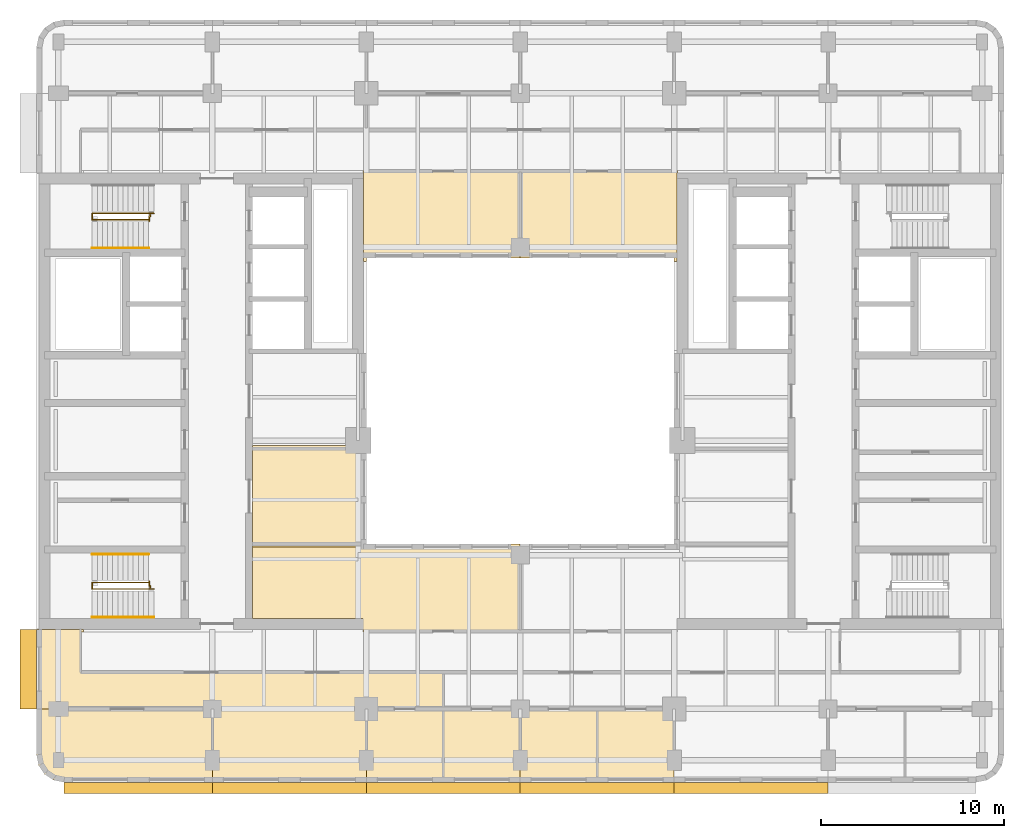
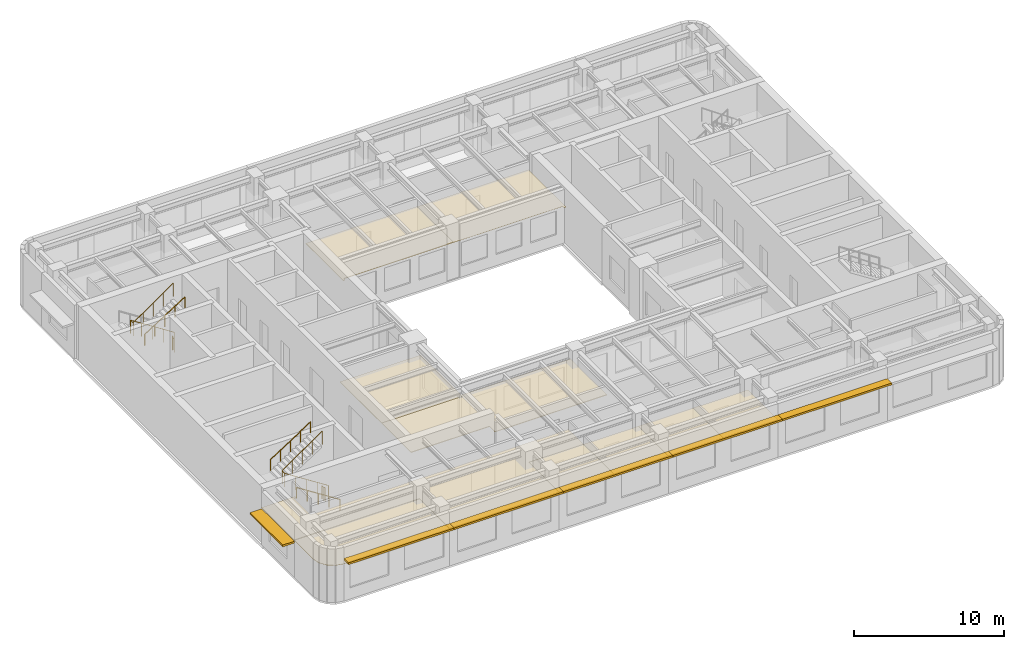
# One storey, part 9 of 11: 10 coverings, 7 railings, 6 shading devices.
"""IFC4 building model written with IfcOpenShell, lengths in metres."""

from ifc_helpers import new_model, si_unit, direction, frame, origin, origin_2d, place, context, subcontext, project, spatial, polyline, rectangle, circle, outline, extrude, material, layer, layer_set, type_object, element, save


model = new_model("IFC4")

# Units and contexts
model_context = context("Model", 3, precision=1e-05, world=origin(), true_north=direction((0.0, 1.0)))
body_context = subcontext(model_context, "Body", "Model", "MODEL_VIEW")
ifc_project = project(units=[si_unit("LENGTHUNIT", "METRE"), si_unit("AREAUNIT", "SQUARE_METRE"), si_unit("VOLUMEUNIT", "CUBIC_METRE"), si_unit("PLANEANGLEUNIT", "RADIAN"), si_unit("MASSUNIT", "GRAM", prefix="KILO")], contexts=[model_context])

# Site, building, storey
site_placement = place(None, origin())
site = spatial("IfcSite", under=ifc_project, at=site_placement, CompositionType="ELEMENT")
building_placement = place(site_placement, origin())
building = spatial("IfcBuilding", under=site, at=building_placement, Name="Claustro Exchange Tower", CompositionType="ELEMENT")
storey_placement = place(building_placement, frame((0.0, 0.0, 263.699951171875)))
storey = spatial("IfcBuildingStorey", under=building, at=storey_placement, Name="L60", CompositionType="ELEMENT", Elevation=263.699951171875)

# Coverings
ifc_material_1 = material(Name="Gypsum board ceiling", Category="gypsum board")
ifc_layer_1 = layer(ifc_material_1, 0.02490234375)
ifc_layer_set_1 = layer_set([ifc_layer_1], Name="Gypsum board ceiling")
covering_type_1 = type_object("IfcCoveringType", Name="CL2 plasterboard ceiling", PredefinedType="CEILING", material=ifc_layer_set_1)
covering_1_placement = place(storey_placement, frame((0.0, 0.0, 3.0)))
element("IfcCovering", 1, at=covering_1_placement, inside=storey, type_object=covering_type_1, Name="Ceiling CL2 L60-01", PredefinedType="CEILING", context=body_context, shape_type="SweptSolid", body=[
    extrude(outline(polyline([(-1.085693359375, 5.325927734375), (-0.7607421875, 4.83935546875), (-0.27392578125, 4.51416015625), (0.300048828125, 4.39990234375), (8.39990234375, 4.39990234375), (8.39990234375, 8.39990234375), (-1.199951171875, 8.39990234375), (-1.199951171875, 5.89990234375), (-1.085693359375, 5.325927734375)])), origin(), (0.0, 0.0, 1.0), 0.025146484375),
])
covering_2_placement = place(storey_placement, frame((0.0, 0.0, 3.0)))
element("IfcCovering", 2, at=covering_2_placement, inside=storey, type_object=covering_type_1, Name="Ceiling CL2 L60-19", PredefinedType="CEILING", context=body_context, shape_type="SweptSolid", body=[
    extrude(outline(polyline([(33.60009765625, 33.0), (33.60009765625, 32.830078125), (33.75, 32.830078125), (33.75, 37.64990234375), (33.77001953125, 37.64990234375), (33.77001953125, 37.800048828125), (25.199951171875, 37.800048828125), (25.199951171875, 33.0), (33.60009765625, 33.0)])), origin(), (0.0, 0.0, 1.0), 0.025146484375),
])
ifc_material_2 = material(Name="Oak slats on acoustic backing", Category="wood")
ifc_layer_2 = layer(ifc_material_2, 0.050048828125)
ifc_layer_set_2 = layer_set([ifc_layer_2], Name="Oak slats on acoustic backing")
covering_type_2 = type_object("IfcCoveringType", Name="CL3 timber slat ceiling", PredefinedType="CEILING", material=ifc_layer_set_2)
covering_3_placement = place(storey_placement, frame((0.0, 0.0, 3.0)))
element("IfcCovering", 3, at=covering_3_placement, inside=storey, type_object=covering_type_2, Name="Ceiling CL3 L60-02", PredefinedType="CEILING", context=body_context, shape_type="SweptSolid", body=[
    extrude(outline(polyline([(16.800048828125, 4.39990234375), (21.0, 4.39990234375), (21.0, 8.39990234375), (16.800048828125, 8.39990234375), (16.800048828125, 4.39990234375)])), origin(), (0.0, 0.0, 1.0), 0.050048828125),
])
covering_4_placement = place(storey_placement, frame((0.0, 0.0, 3.0)))
element("IfcCovering", 4, at=covering_4_placement, inside=storey, type_object=covering_type_2, Name="Ceiling CL3 L60-03", PredefinedType="CEILING", context=body_context, shape_type="SweptSolid", body=[
    extrude(outline(polyline([(21.0, 4.39990234375), (25.199951171875, 4.39990234375), (25.199951171875, 8.39990234375), (21.0, 8.39990234375), (21.0, 4.39990234375)])), origin(), (0.0, 0.0, 1.0), 0.050048828125),
])
covering_5_placement = place(storey_placement, frame((0.0, 0.0, 3.0)))
element("IfcCovering", 5, at=covering_5_placement, inside=storey, type_object=covering_type_2, Name="Ceiling CL3 L60-04", PredefinedType="CEILING", context=body_context, shape_type="SweptSolid", body=[
    extrude(outline(polyline([(25.199951171875, 4.39990234375), (29.39990234375, 4.39990234375), (29.39990234375, 8.39990234375), (25.199951171875, 8.39990234375), (25.199951171875, 4.39990234375)])), origin(), (0.0, 0.0, 1.0), 0.050048828125),
])
covering_6_placement = place(storey_placement, frame((0.0, 0.0, 3.0)))
element("IfcCovering", 6, at=covering_6_placement, inside=storey, type_object=covering_type_2, Name="Ceiling CL3 L60-05", PredefinedType="CEILING", context=body_context, shape_type="SweptSolid", body=[
    extrude(outline(polyline([(29.39990234375, 4.39990234375), (33.60009765625, 4.39990234375), (33.60009765625, 8.39990234375), (29.39990234375, 8.39990234375), (29.39990234375, 4.39990234375)])), origin(), (0.0, 0.0, 1.0), 0.050048828125),
])
covering_7_placement = place(storey_placement, frame((0.0, 0.0, 3.0)))
element("IfcCovering", 7, at=covering_7_placement, inside=storey, type_object=covering_type_2, Name="Ceiling CL3 L60-08", PredefinedType="CEILING", context=body_context, shape_type="SweptSolid", body=[
    extrude(outline(polyline([(1.199951171875, 10.39990234375), (1.199951171875, 12.60009765625), (1.3701171875, 12.60009765625), (1.3701171875, 12.75), (-1.050048828125, 12.75), (-1.050048828125, 12.77001953125), (-1.199951171875, 12.77001953125), (-1.199951171875, 8.39990234375), (8.39990234375, 8.39990234375), (8.39990234375, 4.39990234375), (16.800048828125, 4.39990234375), (16.800048828125, 8.39990234375), (21.0, 8.39990234375), (21.0, 10.39990234375), (1.199951171875, 10.39990234375)])), origin(), (0.0, 0.0, 1.0), 0.050048828125),
])
covering_8_placement = place(storey_placement, frame((0.0, 0.0, 3.0)))
element("IfcCovering", 8, at=covering_8_placement, inside=storey, type_object=covering_type_2, Name="Ceiling CL3 L60-12", PredefinedType="CEILING", context=body_context, shape_type="SweptSolid", body=[
    extrude(outline(polyline([(25.199951171875, 17.39990234375), (16.800048828125, 17.39990234375), (16.800048828125, 17.570068359375), (10.60009765625, 17.570068359375), (10.60009765625, 13.330078125), (16.6298828125, 13.330078125), (16.6298828125, 12.60009765625), (25.199951171875, 12.60009765625), (25.199951171875, 17.39990234375)])), origin(), (0.0, 0.0, 1.0), 0.050048828125),
])
covering_9_placement = place(storey_placement, frame((0.0, 0.0, 3.0)))
element("IfcCovering", 9, at=covering_9_placement, inside=storey, type_object=covering_type_2, Name="Ceiling CL3 L60-14", PredefinedType="CEILING", context=body_context, shape_type="SweptSolid", body=[
    extrude(outline(polyline([(10.60009765625, 22.77001953125), (10.60009765625, 17.22998046875), (16.800048828125, 17.22998046875), (16.800048828125, 22.77001953125), (10.60009765625, 22.77001953125)])), origin(), (0.0, 0.0, 1.0), 0.050048828125),
])
covering_10_placement = place(storey_placement, frame((0.0, 0.0, 3.0)))
element("IfcCovering", 10, at=covering_10_placement, inside=storey, type_object=covering_type_2, Name="Ceiling CL3 L60-18", PredefinedType="CEILING", context=body_context, shape_type="SweptSolid", body=[
    extrude(outline(polyline([(25.199951171875, 37.800048828125), (16.6298828125, 37.800048828125), (16.6298828125, 37.64990234375), (16.64990234375, 37.64990234375), (16.64990234375, 32.830078125), (16.800048828125, 32.830078125), (16.800048828125, 33.0), (25.199951171875, 33.0), (25.199951171875, 37.800048828125)])), origin(), (0.0, 0.0, 1.0), 0.050048828125),
])

# Railings
ifc_material_3 = material(Name="Steel balustrade, painted", Category="steel")
railing_type_1 = type_object("IfcRailingType", Name="GR2 1100 steel stair guard", PredefinedType="GUARDRAIL", material=ifc_material_3)
railing_1_placement = place(storey_placement, frame((5.199951171875, 14.949951171875, 0.179931640625)))
element("IfcRailing", 11, at=railing_1_placement, inside=storey, type_object=railing_type_1, Name="Stair well guard GR2 stair STWA L60", PredefinedType="GUARDRAIL", context=body_context, shape_type="SweptSolid", body=[
    extrude(circle(Radius=0.02392578125, at=origin_2d()), frame((0.0, 0.0, 1.076171875), z_axis=(-0.841150671818, 0.0, 0.540800838849), x_axis=(0.0, -1.0, 0.0)), (0.0, 0.0, 1.0), 3.994384765625),
    extrude(circle(Radius=0.02392578125, at=origin_2d()), frame((-3.35986328125, 0.0, 3.236328125), z_axis=(0.0, 1.0, 0.0), x_axis=(-1.0, 0.0, 0.0)), (0.0, 0.0, 1.0), 0.35009765625),
    extrude(circle(Radius=0.02392578125, at=origin_2d()), frame((-3.35986328125, 0.35009765625, 3.236328125), z_axis=(0.818728512145, 0.0, 0.574180828137), x_axis=(0.0, 1.0, 0.0)), (0.0, 0.0, 1.0), 3.76171875),
    extrude(circle(Radius=0.02099609375, at=origin_2d()), origin(), (0.0, 0.0, 1.0), 1.052001953125),
    extrude(circle(Radius=0.02099609375, at=origin_2d()), frame((-0.83984375, 0.0, 0.5400390625)), (0.0, 0.0, 1.0), 1.052001953125),
    extrude(circle(Radius=0.02099609375, at=origin_2d()), frame((-1.679931640625, 0.0, 1.080078125)), (0.0, 0.0, 1.0), 1.052001953125),
    extrude(circle(Radius=0.02099609375, at=origin_2d()), frame((-2.52001953125, 0.0, 1.6201171875)), (0.0, 0.0, 1.0), 1.052001953125),
    extrude(circle(Radius=0.02099609375, at=origin_2d()), frame((-3.35986328125, 0.0, 2.16015625)), (0.0, 0.0, 1.0), 1.052001953125),
    extrude(circle(Radius=0.02099609375, at=origin_2d()), frame((-3.35986328125, 0.35009765625, 2.16015625)), (0.0, 0.0, 1.0), 1.052001953125),
    extrude(circle(Radius=0.02099609375, at=origin_2d()), frame((-2.58984375, 0.35009765625, 2.7001953125)), (0.0, 0.0, 1.0), 1.052001953125),
    extrude(circle(Radius=0.02099609375, at=origin_2d()), frame((-1.81982421875, 0.35009765625, 3.240234375)), (0.0, 0.0, 1.0), 1.052001953125),
    extrude(circle(Radius=0.02099609375, at=origin_2d()), frame((-1.050048828125, 0.35009765625, 3.780029296875)), (0.0, 0.0, 1.0), 1.052001953125),
    extrude(circle(Radius=0.02099609375, at=origin_2d()), frame((-0.280029296875, 0.35009765625, 4.320068359375)), (0.0, 0.0, 1.0), 1.052001953125),
])
railing_2_placement = place(storey_placement, frame((5.0, 15.02001953125, 0.0)))
element("IfcRailing", 12, at=railing_2_placement, inside=storey, type_object=railing_type_1, Name="Stair guard GR2 STWA L60", PredefinedType="GUARDRAIL", context=body_context, shape_type="SweptSolid", body=[
    extrude(circle(Radius=0.02392578125, at=origin_2d()), frame((0.0, 0.0, 1.076171875), z_axis=(0.0, 1.0, 0.0), x_axis=(-1.0, 0.0, 0.0)), (0.0, 0.0, 1.0), 0.10498046875),
    extrude(circle(Radius=0.02392578125, at=origin_2d()), frame((0.0, 0.10498046875, 1.076171875), z_axis=(-1.0, 0.0, 0.0), x_axis=(0.0, -1.0, 0.0)), (0.0, 0.0, 1.0), 0.054931640625),
    extrude(circle(Radius=0.02392578125, at=origin_2d()), frame((-0.054931640625, 0.10498046875, 1.076171875), z_axis=(0.0, 1.0, 0.0), x_axis=(-1.0, 0.0, 0.0)), (0.0, 0.0, 1.0), 0.2548828125),
    extrude(circle(Radius=0.02099609375, at=origin_2d()), origin(), (0.0, 0.0, 1.0), 1.052001953125),
    extrude(circle(Radius=0.02099609375, at=origin_2d()), frame((0.0, 0.10498046875, 0.0)), (0.0, 0.0, 1.0), 1.052001953125),
    extrude(circle(Radius=0.02099609375, at=origin_2d()), frame((-0.054931640625, 0.10498046875, 0.0)), (0.0, 0.0, 1.0), 1.052001953125),
    extrude(circle(Radius=0.02099609375, at=origin_2d()), frame((-0.054931640625, 0.35986328125, 0.0)), (0.0, 0.0, 1.0), 1.052001953125),
])
railing_3_placement = place(storey_placement, frame((5.199951171875, 35.449951171875, 0.179931640625)))
element("IfcRailing", 13, at=railing_3_placement, inside=storey, type_object=railing_type_1, Name="Stair well guard GR2 stair STWB L60", PredefinedType="GUARDRAIL", context=body_context, shape_type="SweptSolid", body=[
    extrude(circle(Radius=0.02392578125, at=origin_2d()), frame((0.0, 0.0, 1.076171875), z_axis=(-0.841150671818, 0.0, 0.540800838849), x_axis=(0.0, -1.0, 0.0)), (0.0, 0.0, 1.0), 3.994384765625),
    extrude(circle(Radius=0.02392578125, at=origin_2d()), frame((-3.35986328125, 0.0, 3.236328125), z_axis=(0.0, -1.0, 0.0), x_axis=(1.0, 0.0, 0.0)), (0.0, 0.0, 1.0), 0.349853515625),
    extrude(circle(Radius=0.02392578125, at=origin_2d()), frame((-3.35986328125, -0.349853515625, 3.236328125), z_axis=(0.818728512145, 0.0, 0.574180828137), x_axis=(0.0, 1.0, 0.0)), (0.0, 0.0, 1.0), 3.76171875),
    extrude(circle(Radius=0.02099609375, at=origin_2d()), origin(), (0.0, 0.0, 1.0), 1.052001953125),
    extrude(circle(Radius=0.02099609375, at=origin_2d()), frame((-0.83984375, 0.0, 0.5400390625)), (0.0, 0.0, 1.0), 1.052001953125),
    extrude(circle(Radius=0.02099609375, at=origin_2d()), frame((-1.679931640625, 0.0, 1.080078125)), (0.0, 0.0, 1.0), 1.052001953125),
    extrude(circle(Radius=0.02099609375, at=origin_2d()), frame((-2.52001953125, 0.0, 1.6201171875)), (0.0, 0.0, 1.0), 1.052001953125),
    extrude(circle(Radius=0.02099609375, at=origin_2d()), frame((-3.35986328125, 0.0, 2.16015625)), (0.0, 0.0, 1.0), 1.052001953125),
    extrude(circle(Radius=0.02099609375, at=origin_2d()), frame((-3.35986328125, -0.349853515625, 2.16015625)), (0.0, 0.0, 1.0), 1.052001953125),
    extrude(circle(Radius=0.02099609375, at=origin_2d()), frame((-2.58984375, -0.349853515625, 2.7001953125)), (0.0, 0.0, 1.0), 1.052001953125),
    extrude(circle(Radius=0.02099609375, at=origin_2d()), frame((-1.81982421875, -0.349853515625, 3.240234375)), (0.0, 0.0, 1.0), 1.052001953125),
    extrude(circle(Radius=0.02099609375, at=origin_2d()), frame((-1.050048828125, -0.349853515625, 3.780029296875)), (0.0, 0.0, 1.0), 1.052001953125),
    extrude(circle(Radius=0.02099609375, at=origin_2d()), frame((-0.280029296875, -0.349853515625, 4.320068359375)), (0.0, 0.0, 1.0), 1.052001953125),
])
railing_4_placement = place(storey_placement, frame((5.0, 35.3798828125, 0.0)))
element("IfcRailing", 14, at=railing_4_placement, inside=storey, type_object=railing_type_1, Name="Stair guard GR2 STWB L60", PredefinedType="GUARDRAIL", context=body_context, shape_type="SweptSolid", body=[
    extrude(circle(Radius=0.02392578125, at=origin_2d()), frame((0.0, 0.0, 1.076171875), z_axis=(0.0, -1.0, 0.0), x_axis=(1.0, 0.0, 0.0)), (0.0, 0.0, 1.0), 0.10498046875),
    extrude(circle(Radius=0.02392578125, at=origin_2d()), frame((0.0, -0.10498046875, 1.076171875), z_axis=(-1.0, 0.0, 0.0), x_axis=(0.0, -1.0, 0.0)), (0.0, 0.0, 1.0), 0.054931640625),
    extrude(circle(Radius=0.02392578125, at=origin_2d()), frame((-0.054931640625, -0.10498046875, 1.076171875), z_axis=(0.0, -1.0, 0.0), x_axis=(1.0, 0.0, 0.0)), (0.0, 0.0, 1.0), 0.2548828125),
    extrude(circle(Radius=0.02099609375, at=origin_2d()), origin(), (0.0, 0.0, 1.0), 1.052001953125),
    extrude(circle(Radius=0.02099609375, at=origin_2d()), frame((0.0, -0.10498046875, 0.0)), (0.0, 0.0, 1.0), 1.052001953125),
    extrude(circle(Radius=0.02099609375, at=origin_2d()), frame((-0.054931640625, -0.10498046875, 0.0)), (0.0, 0.0, 1.0), 1.052001953125),
    extrude(circle(Radius=0.02099609375, at=origin_2d()), frame((-0.054931640625, -0.35986328125, 0.0)), (0.0, 0.0, 1.0), 1.052001953125),
])
ifc_material_4 = material(Name="Stainless steel tube", Category="steel")
railing_type_2 = type_object("IfcRailingType", Name="HR1 900 stair handrail", PredefinedType="HANDRAIL", material=ifc_material_4)
railing_5_placement = place(storey_placement, frame((5.199951171875, 13.409912109375, 0.179931640625)))
element("IfcRailing", 15, at=railing_5_placement, inside=storey, type_object=railing_type_2, Name="Handrail HR1 stair STWA L60", PredefinedType="HANDRAIL", context=body_context, shape_type="SweptSolid", body=[
    extrude(circle(Radius=0.02392578125, at=origin_2d()), frame((0.0, 0.0, 0.8759765625), z_axis=(-0.841150671818, 0.0, 0.540800838849), x_axis=(0.0, -1.0, 0.0)), (0.0, 0.0, 1.0), 3.994384765625),
    extrude(circle(Radius=0.02099609375, at=origin_2d()), origin(), (0.0, 0.0, 1.0), 0.851806640625),
    extrude(circle(Radius=0.02099609375, at=origin_2d()), frame((-0.83984375, 0.0, 0.5400390625)), (0.0, 0.0, 1.0), 0.851806640625),
    extrude(circle(Radius=0.02099609375, at=origin_2d()), frame((-1.679931640625, 0.0, 1.080078125)), (0.0, 0.0, 1.0), 0.851806640625),
    extrude(circle(Radius=0.02099609375, at=origin_2d()), frame((-2.52001953125, 0.0, 1.6201171875)), (0.0, 0.0, 1.0), 0.851806640625),
    extrude(circle(Radius=0.02099609375, at=origin_2d()), frame((-3.35986328125, 0.0, 2.16015625)), (0.0, 0.0, 1.0), 0.851806640625),
])
for number, where, name in (
    (16, (1.840087890625, 16.840087890625, 2.52001953125), "Handrail HR1 stair STWA L60"),
    (17, (1.840087890625, 33.56005859375, 2.52001953125), "Handrail HR1 stair STWB L60"),
):
    element("IfcRailing", number, at=place(storey_placement, frame(where)), inside=storey, type_object=railing_type_2, Name=name, PredefinedType="HANDRAIL", context=body_context, shape_type="SweptSolid", body=[
        extrude(circle(Radius=0.02392578125, at=origin_2d()), frame((0.0, 0.0, 0.8759765625), z_axis=(0.841167642724, 0.0, 0.540774441735), x_axis=(0.0, 1.0, 0.0)), (0.0, 0.0, 1.0), 3.661376953125),
        extrude(circle(Radius=0.02099609375, at=origin_2d()), origin(), (0.0, 0.0, 1.0), 0.851806640625),
        extrude(circle(Radius=0.02099609375, at=origin_2d()), frame((0.77001953125, 0.0, 0.4951171875)), (0.0, 0.0, 1.0), 0.851806640625),
        extrude(circle(Radius=0.02099609375, at=origin_2d()), frame((1.5400390625, 0.0, 0.989990234375)), (0.0, 0.0, 1.0), 0.851806640625),
        extrude(circle(Radius=0.02099609375, at=origin_2d()), frame((2.309814453125, 0.0, 1.48486328125)), (0.0, 0.0, 1.0), 0.851806640625),
        extrude(circle(Radius=0.02099609375, at=origin_2d()), frame((3.079833984375, 0.0, 1.97998046875)), (0.0, 0.0, 1.0), 0.851806640625),
    ])

# Shading devices
ifc_material_5 = material(Name="Concrete HA-40 (C40/50), precast, white cement, acid-etched", Category="concrete")
ifc_layer_3 = layer(ifc_material_5, 0.14990234375)
ifc_layer_set_3 = layer_set([ifc_layer_3], Name="Concrete HA-40 (C40/50), precast, white cement, acid-etched")
shading_device_type_1 = type_object("IfcShadingDeviceType", Name="SS1 600 precast concrete SUNSHADE", PredefinedType="SHUTTER", material=ifc_layer_set_3)
for number, where, z_axis, x_axis, name in (
    (18, (37.800048828125, 4.10009765625, 3.300048828125), (0.0, 0.0, 1.0), (-1.0, 0.0, 0.0), "Precast SUNSHADE SS1 L60"),
    (19, (29.39990234375, 4.10009765625, 3.300048828125), (0.0, 0.0, 1.0), (-1.0, 0.0, 0.0), "Precast SUNSHADE SS1 L60"),
    (20, (21.0, 4.10009765625, 3.300048828125), (0.0, 0.0, 1.0), (-1.0, 0.0, 0.0), "Precast SUNSHADE SS1 L60"),
    (21, (12.60009765625, 4.10009765625, 3.300048828125), (0.0, 0.0, 1.0), (-1.0, 0.0, 0.0), "Precast SUNSHADE SS1 L60"),
):
    element("IfcShadingDevice", number, at=place(storey_placement, frame(where, z_axis=z_axis, x_axis=x_axis)), inside=storey, type_object=shading_device_type_1, Name=name, PredefinedType="SHUTTER", context=body_context, shape_type="SweptSolid", body=[
        extrude(rectangle(XDim=8.39990234375, YDim=0.60009765625, at=origin_2d()), origin(), (0.0, 0.0, 1.0), 0.14990234375),
    ])
shading_device_1_placement = place(storey_placement, frame((4.357421875, 4.10009765625, 3.300048828125), z_axis=(0.0, 0.0, 1.0), x_axis=(-1.0, 0.0, 0.0)))
element("IfcShadingDevice", 22, at=shading_device_1_placement, inside=storey, type_object=shading_device_type_1, Name="Precast SUNSHADE SS1 L60", PredefinedType="SHUTTER", context=body_context, shape_type="SweptSolid", body=[
    extrude(rectangle(XDim=8.085205078125, YDim=0.60009765625, at=origin_2d()), origin(), (0.0, 0.0, 1.0), 0.14990234375),
])
ifc_material_6 = material(Name="Concrete HA-40 (C40/50), precast, white cement, acid-etched", Category="concrete")
ifc_layer_4 = layer(ifc_material_6, 0.14990234375)
ifc_layer_set_4 = layer_set([ifc_layer_4], Name="Concrete HA-40 (C40/50), precast, white cement, acid-etched")
shading_device_type_2 = type_object("IfcShadingDeviceType", Name="SS2 900 precast concrete SUNSHADE", PredefinedType="SHUTTER", material=ifc_layer_set_4)
shading_device_2_placement = place(storey_placement, frame((-1.64990234375, 10.574951171875, 2.800048828125), z_axis=(0.0, 0.0, 1.0), x_axis=(0.0, 1.0, 0.0)))
element("IfcShadingDevice", 23, at=shading_device_2_placement, inside=storey, type_object=shading_device_type_2, Name="Precast SUNSHADE SS2 L60", PredefinedType="SHUTTER", context=body_context, shape_type="SweptSolid", body=[
    extrude(rectangle(XDim=4.35009765625, YDim=0.89990234375, at=origin_2d()), origin(), (0.0, 0.0, 1.0), 0.14990234375),
])

save(model, "model.ifc")
